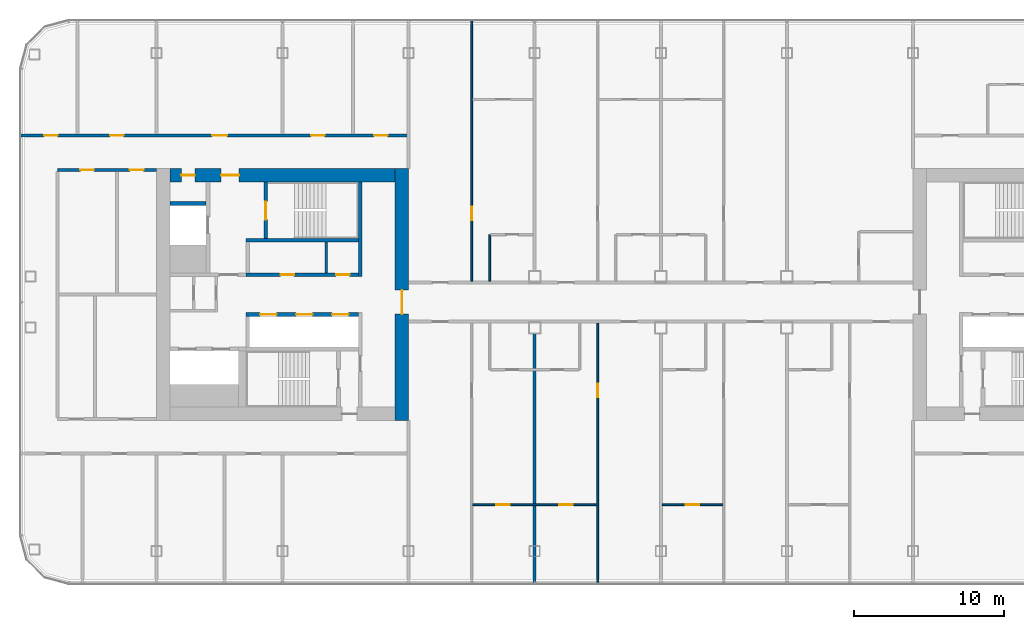
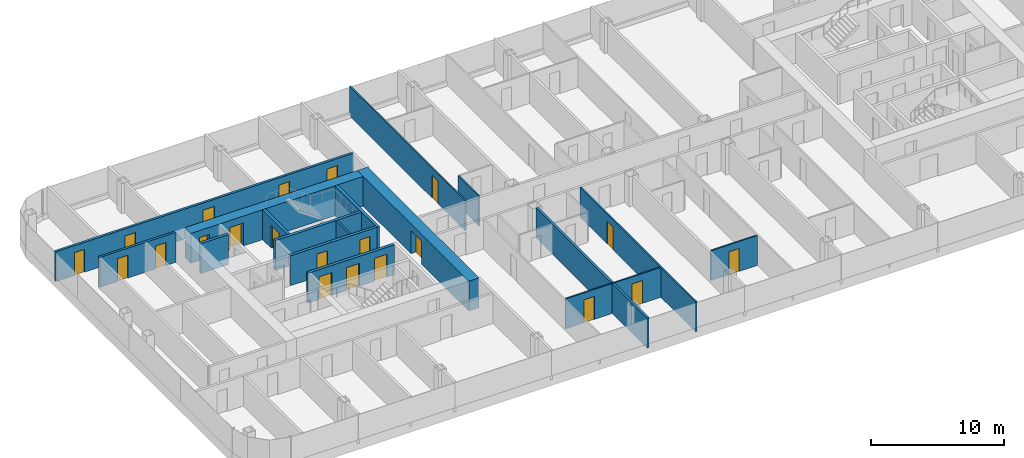
# One storey, part 13 of 26: 21 doors, 17 walls, 21 openings.
"""IFC4 building model written with IfcOpenShell, lengths in metres."""

from ifc_helpers import new_model, si_unit, direction, frame, frame_2d, origin, place, context, subcontext, project, spatial, rectangle, extrude, material, layer, layer_set, type_object, element, fill, save


model = new_model("IFC4")

# Units and contexts
model_context = context("Model", 3, precision=1e-05, world=origin(), true_north=direction((0.0, 1.0)))
body_context = subcontext(model_context, "Body", "Model", "MODEL_VIEW")
ifc_project = project(units=[si_unit("LENGTHUNIT", "METRE"), si_unit("AREAUNIT", "SQUARE_METRE"), si_unit("VOLUMEUNIT", "CUBIC_METRE"), si_unit("PLANEANGLEUNIT", "RADIAN"), si_unit("MASSUNIT", "GRAM", prefix="KILO")], contexts=[model_context])

# Site, building, storey
site_placement = place(None, origin())
site = spatial("IfcSite", under=ifc_project, at=site_placement, CompositionType="ELEMENT")
building_placement = place(site_placement, origin())
building = spatial("IfcBuilding", under=site, at=building_placement, Name="Hakoniwa Tower and Hamabe Station Hall", CompositionType="ELEMENT")
storey_placement = place(building_placement, frame((0.0, 0.0, 159.800048828125)))
storey = spatial("IfcBuildingStorey", under=building, at=storey_placement, Name="L45", CompositionType="ELEMENT", Elevation=159.800048828125)

# Walls
ifc_material_1 = material(Name="Gypsum board partition", Category="gypsum")
ifc_layer_1 = layer(ifc_material_1, 0.125)
ifc_layer_set_1 = layer_set([ifc_layer_1], Name="Bathroom Partition 125")
wall_type_1 = type_object("IfcWallType", Name="Bathroom Partition 125", PredefinedType="PARTITIONING", material=ifc_layer_set_1)
wall_1_placement = place(storey_placement, frame((-11.39990234375, 0.89990234375, 0.0), z_axis=(0.0, 0.0, 1.0), x_axis=(0.0, 1.0, 0.0)))
element("IfcWall", 1, at=wall_1_placement, inside=storey, type_object=wall_type_1, Name="GW-L45-042", PredefinedType="PARTITIONING", context=body_context, shape_type="SweptSolid", body=[
    extrude(rectangle(XDim=3.10009765625, YDim=0.125, at=frame_2d((1.550048828125, 0.0))), origin(), (0.0, 0.0, 1.0), 2.75),
])
ifc_material_2 = material(Name="Gypsum board partition")
ifc_layer_2 = layer(ifc_material_2, 0.14990234375)
ifc_layer_set_2 = layer_set([ifc_layer_2], Name="CORE PARTITION 150 EI 60")
wall_type_2 = type_object("IfcWallType", Name="CORE PARTITION 150 EI 60", PredefinedType="PARTITIONING", material=ifc_layer_set_2)
wall_2_placement = place(storey_placement, frame((-22.300048828125, 1.449951171875, 0.0), z_axis=(0.0, 0.0, 1.0), x_axis=(0.0, 1.0, 0.0)))
element("IfcWall", 2, at=wall_2_placement, inside=storey, type_object=wall_type_2, Name="Core partition PFLR0 west", PredefinedType="PARTITIONING", context=body_context, shape_type="SweptSolid", body=[
    extrude(rectangle(XDim=2.050048828125, YDim=0.14990234375, at=frame_2d((1.02490234375, 0.0))), origin(), (0.0, 0.0, 1.0), 2.75),
])

# Wall, opening, door
ifc_material_3 = material(Name="Concrete C66", Category="concrete")
ifc_layer_3 = layer(ifc_material_3, 0.89990234375)
ifc_layer_set_3 = layer_set([ifc_layer_3], Name="CORE WALL 900 C66")
wall_type_3 = type_object("IfcWallType", Name="CORE WALL 900 C66", PredefinedType="SHEAR", material=ifc_layer_set_3)
wall_3_placement = place(storey_placement, frame((-17.25, -8.39990234375, 0.0), z_axis=(0.0, 0.0, 1.0), x_axis=(0.0, 1.0, 0.0)))
wall_3 = element("IfcWall", 3, at=wall_3_placement, inside=storey, type_object=wall_type_3, Name="Core wall INNER west", PredefinedType="SHEAR", context=body_context, shape_type="SweptSolid", body=[
    extrude(rectangle(XDim=16.7998046875, YDim=0.89990234375, at=frame_2d((8.39990234375, 0.0))), origin(), (0.0, 0.0, 1.0), 2.75),
])
opening_1_placement = place(wall_3_placement, frame((7.10009765625, 0.0, 0.0)))
opening_1 = element("IfcOpeningElement", 4, at=opening_1_placement, cuts=wall_3, Name="Opening CD-W-IN1-16", PredefinedType="OPENING", context=body_context, shape_type="SweptSolid", body=[
    extrude(rectangle(XDim=1.60009765625, YDim=2.10009765625, at=frame_2d((0.800048828125, 1.050048828125))), frame((0.0, 0.4599609375, 0.0), z_axis=(0.0, -1.0, 0.0), x_axis=(1.0, 0.0, 0.0)), (0.0, 0.0, 1.0), 0.919921875),
])
ifc_material_4 = material(Name="Steel fire door", Category="steel")
door_type_1 = type_object("IfcDoorType", Name="CORE DOOR 1600 FD60", OperationType="DOUBLE_DOOR_SINGLE_SWING", PredefinedType="DOOR", material=ifc_material_4)
door_1_placement = place(opening_1_placement, origin())
door_1 = element("IfcDoor", 5, at=door_1_placement, inside=storey, type_object=door_type_1, Name="Lift lobby door", OperationType="DOUBLE_DOOR_SINGLE_SWING", OverallHeight=2.10009765625, OverallWidth=1.60009765625, PredefinedType="DOOR", context=body_context, shape_type="SweptSolid", body=[
    extrude(rectangle(XDim=1.60009765625, YDim=2.10009765625, at=frame_2d((0.800048828125, 1.050048828125))), frame((0.0, 0.02490234375, 0.0), z_axis=(0.0, -1.0, 0.0), x_axis=(1.0, 0.0, 0.0)), (0.0, 0.0, 1.0), 0.050048828125),
])
fill(opening_1, door_1)

# Wall, openings, doors
wall_4_placement = place(storey_placement, frame((-32.699951171875, 7.949951171875, 0.0), z_axis=(0.0, 0.0, 1.0), x_axis=(1.0, 0.0, 0.0)))
wall_4 = element("IfcWall", 6, at=wall_4_placement, inside=storey, type_object=wall_type_3, Name="Core wall NORTH west", PredefinedType="SHEAR", context=body_context, shape_type="SweptSolid", body=[
    extrude(rectangle(XDim=15.0, YDim=0.89990234375, at=frame_2d((7.5, 0.0))), origin(), (0.0, 0.0, 1.0), 2.75),
])
opening_2_placement = place(wall_4_placement, frame((3.39990234375, 0.0, 0.0)))
opening_2 = element("IfcOpeningElement", 7, at=opening_2_placement, cuts=wall_4, Name="Opening CD-W-FN1-12", PredefinedType="OPENING", context=body_context, shape_type="SweptSolid", body=[
    extrude(rectangle(XDim=1.199951171875, YDim=2.10009765625, at=frame_2d((0.60009765625, 1.050048828125))), frame((0.0, 0.4599609375, 0.0), z_axis=(0.0, -1.0, 0.0), x_axis=(1.0, 0.0, 0.0)), (0.0, 0.0, 1.0), 0.919921875),
])
opening_3_placement = place(wall_4_placement, frame((0.75, 0.0, 0.0)))
opening_3 = element("IfcOpeningElement", 8, at=opening_3_placement, cuts=wall_4, Name="Opening CD-W-FN2-9", PredefinedType="OPENING", context=body_context, shape_type="SweptSolid", body=[
    extrude(rectangle(XDim=0.89990234375, YDim=2.10009765625, at=frame_2d((0.449951171875, 1.050048828125))), frame((0.0, 0.4599609375, 0.0), z_axis=(0.0, -1.0, 0.0), x_axis=(1.0, 0.0, 0.0)), (0.0, 0.0, 1.0), 0.919921875),
])
ifc_material_5 = material(Name="Steel fire door", Category="steel")
door_type_2 = type_object("IfcDoorType", Name="CORE DOOR 1200 FD60", OperationType="DOUBLE_DOOR_SINGLE_SWING", PredefinedType="DOOR", material=ifc_material_5)
door_2_placement = place(opening_2_placement, origin())
door_2 = element("IfcDoor", 9, at=door_2_placement, inside=storey, type_object=door_type_2, Name="Stair vestibule door to the fire-fighting lobby", OperationType="DOUBLE_DOOR_SINGLE_SWING", OverallHeight=2.10009765625, OverallWidth=1.199951171875, PredefinedType="DOOR", context=body_context, shape_type="SweptSolid", body=[
    extrude(rectangle(XDim=1.199951171875, YDim=2.10009765625, at=frame_2d((0.60009765625, 1.050048828125))), frame((0.0, 0.02490234375, 0.0), z_axis=(0.0, -1.0, 0.0), x_axis=(1.0, 0.0, 0.0)), (0.0, 0.0, 1.0), 0.050048828125),
])
fill(opening_2, door_2)
ifc_material_6 = material(Name="Steel fire door", Category="steel")
door_type_3 = type_object("IfcDoorType", Name="CORE DOOR 900 FD30", OperationType="NOTDEFINED", PredefinedType="DOOR", material=ifc_material_6)
door_3_placement = place(opening_3_placement, origin())
door_3 = element("IfcDoor", 10, at=door_3_placement, inside=storey, type_object=door_type_3, Name="Riser access door", OperationType="SINGLE_SWING_LEFT", OverallHeight=2.10009765625, OverallWidth=0.89990234375, PredefinedType="DOOR", context=body_context, shape_type="SweptSolid", body=[
    extrude(rectangle(XDim=0.89990234375, YDim=2.10009765625, at=frame_2d((0.449951171875, 1.050048828125))), frame((0.0, 0.02490234375, 0.0), z_axis=(0.0, -1.0, 0.0), x_axis=(1.0, 0.0, 0.0)), (0.0, 0.0, 1.0), 0.050048828125),
])
fill(opening_3, door_3)

# Wall
ifc_material_7 = material(Name="Concrete C66", Category="concrete")
ifc_layer_4 = layer(ifc_material_7, 0.25)
ifc_layer_set_4 = layer_set([ifc_layer_4], Name="CORE WEB WALL 250 C66")
wall_type_4 = type_object("IfcWallType", Name="CORE WEB WALL 250 C66", PredefinedType="SHEAR", material=ifc_layer_set_4)
wall_5_placement = place(storey_placement, frame((-20.02490234375, 1.199951171875, 0.0), z_axis=(0.0, 0.0, 1.0), x_axis=(0.0, 1.0, 0.0)))
element("IfcWall", 11, at=wall_5_placement, inside=storey, type_object=wall_type_4, Name="Core wall W1N west", PredefinedType="SHEAR", context=body_context, shape_type="SweptSolid", body=[
    extrude(rectangle(XDim=6.300048828125, YDim=0.25, at=frame_2d((3.14990234375, 0.0))), origin(), (0.0, 0.0, 1.0), 2.75),
])

# Wall, openings, doors
wall_6_placement = place(storey_placement, frame((-27.64990234375, 1.324951171875, 0.0), z_axis=(0.0, 0.0, 1.0), x_axis=(1.0, 0.0, 0.0)))
wall_6 = element("IfcWall", 12, at=wall_6_placement, inside=storey, type_object=wall_type_4, Name="Core wall NF west", PredefinedType="SHEAR", context=body_context, shape_type="SweptSolid", body=[
    extrude(rectangle(XDim=7.5, YDim=0.25, at=frame_2d((3.75, 0.0))), origin(), (0.0, 0.0, 1.0), 2.75),
])
opening_4_placement = place(wall_6_placement, frame((6.012451171875, 0.0, 0.0)))
opening_4 = element("IfcOpeningElement", 13, at=opening_4_placement, cuts=wall_6, Name="Opening CD-W-FRLR0-9", PredefinedType="OPENING", context=body_context, shape_type="SweptSolid", body=[
    extrude(rectangle(XDim=0.89990234375, YDim=2.10009765625, at=frame_2d((0.449951171875, 1.050048828125))), frame((0.0, 0.135009765625, 0.0), z_axis=(0.0, -1.0, 0.0), x_axis=(1.0, 0.0, 0.0)), (0.0, 0.0, 1.0), 0.27001953125),
])
opening_5_placement = place(wall_6_placement, frame((2.3125, 0.0, 0.0)))
opening_5 = element("IfcOpeningElement", 14, at=opening_5_placement, cuts=wall_6, Name="Opening CD-W-FRLR1-9", PredefinedType="OPENING", context=body_context, shape_type="SweptSolid", body=[
    extrude(rectangle(XDim=0.89990234375, YDim=2.10009765625, at=frame_2d((0.449951171875, 1.050048828125))), frame((0.0, 0.135009765625, 0.0), z_axis=(0.0, -1.0, 0.0), x_axis=(1.0, 0.0, 0.0)), (0.0, 0.0, 1.0), 0.27001953125),
])
door_4_placement = place(opening_4_placement, origin())
door_4 = element("IfcDoor", 15, at=door_4_placement, inside=storey, type_object=door_type_3, Name="Store room door", OperationType="SINGLE_SWING_LEFT", OverallHeight=2.10009765625, OverallWidth=0.89990234375, PredefinedType="DOOR", context=body_context, shape_type="SweptSolid", body=[
    extrude(rectangle(XDim=0.89990234375, YDim=2.10009765625, at=frame_2d((0.449951171875, 1.050048828125))), frame((0.0, 0.02490234375, 0.0), z_axis=(0.0, -1.0, 0.0), x_axis=(1.0, 0.0, 0.0)), (0.0, 0.0, 1.0), 0.050048828125),
])
fill(opening_4, door_4)
door_5_placement = place(opening_5_placement, origin())
door_5 = element("IfcDoor", 16, at=door_5_placement, inside=storey, type_object=door_type_3, Name="Store room door", OperationType="SINGLE_SWING_LEFT", OverallHeight=2.10009765625, OverallWidth=0.89990234375, PredefinedType="DOOR", context=body_context, shape_type="SweptSolid", body=[
    extrude(rectangle(XDim=0.89990234375, YDim=2.10009765625, at=frame_2d((0.449951171875, 1.050048828125))), frame((0.0, 0.02490234375, 0.0), z_axis=(0.0, -1.0, 0.0), x_axis=(1.0, 0.0, 0.0)), (0.0, 0.0, 1.0), 0.050048828125),
])
fill(opening_5, door_5)

# Wall
wall_7_placement = place(storey_placement, frame((-27.64990234375, 3.625, 0.0), z_axis=(0.0, 0.0, 1.0), x_axis=(1.0, 0.0, 0.0)))
element("IfcWall", 17, at=wall_7_placement, inside=storey, type_object=wall_type_4, Name="Core wall NR west", PredefinedType="SHEAR", context=body_context, shape_type="SweptSolid", body=[
    extrude(rectangle(XDim=7.5, YDim=0.25, at=frame_2d((3.75, 0.0))), origin(), (0.0, 0.0, 1.0), 2.75),
])

# Wall, opening, door
wall_8_placement = place(storey_placement, frame((-26.324951171875, 3.75, 0.0), z_axis=(0.0, 0.0, 1.0), x_axis=(0.0, 1.0, 0.0)))
wall_8 = element("IfcWall", 18, at=wall_8_placement, inside=storey, type_object=wall_type_4, Name="Core wall NSE west", PredefinedType="SHEAR", context=body_context, shape_type="SweptSolid", body=[
    extrude(rectangle(XDim=3.75, YDim=0.25, at=frame_2d((1.875, 0.0))), origin(), (0.0, 0.0, 1.0), 2.75),
])
opening_6_placement = place(wall_8_placement, frame((1.25, 0.0, 0.0)))
opening_6 = element("IfcOpeningElement", 19, at=opening_6_placement, cuts=wall_8, Name="Opening CD-W-SN-12", PredefinedType="OPENING", context=body_context, shape_type="SweptSolid", body=[
    extrude(rectangle(XDim=1.199951171875, YDim=2.10009765625, at=frame_2d((0.60009765625, 1.050048828125))), frame((0.0, 0.135009765625, 0.0), z_axis=(0.0, -1.0, 0.0), x_axis=(1.0, 0.0, 0.0)), (0.0, 0.0, 1.0), 0.27001953125),
])
door_6_placement = place(opening_6_placement, origin())
door_6 = element("IfcDoor", 20, at=door_6_placement, inside=storey, type_object=door_type_2, Name="Escape stair door", OperationType="DOUBLE_DOOR_SINGLE_SWING", OverallHeight=2.10009765625, OverallWidth=1.199951171875, PredefinedType="DOOR", context=body_context, shape_type="SweptSolid", body=[
    extrude(rectangle(XDim=1.199951171875, YDim=2.10009765625, at=frame_2d((0.60009765625, 1.050048828125))), frame((0.0, 0.02490234375, 0.0), z_axis=(0.0, -1.0, 0.0), x_axis=(1.0, 0.0, 0.0)), (0.0, 0.0, 1.0), 0.050048828125),
])
fill(opening_6, door_6)

# Wall
wall_9_placement = place(storey_placement, frame((-32.699951171875, 6.074951171875, 0.0), z_axis=(0.0, 0.0, 1.0), x_axis=(1.0, 0.0, 0.0)))
element("IfcWall", 21, at=wall_9_placement, inside=storey, type_object=wall_type_4, Name="Core wall C2 west", PredefinedType="SHEAR", context=body_context, shape_type="SweptSolid", body=[
    extrude(rectangle(XDim=2.39990234375, YDim=0.25, at=frame_2d((1.199951171875, 0.0))), origin(), (0.0, 0.0, 1.0), 2.75),
])

# Wall, openings, doors
wall_10_placement = place(storey_placement, frame((-27.64990234375, -1.324951171875, 0.0), z_axis=(0.0, 0.0, 1.0), x_axis=(1.0, 0.0, 0.0)))
wall_10 = element("IfcWall", 22, at=wall_10_placement, inside=storey, type_object=wall_type_4, Name="Core wall SF west", PredefinedType="SHEAR", context=body_context, shape_type="SweptSolid", body=[
    extrude(rectangle(XDim=7.5, YDim=0.25, at=frame_2d((3.75, 0.0))), origin(), (0.0, 0.0, 1.0), 2.75),
])
opening_7_placement = place(wall_10_placement, frame((5.75, 0.0, 0.0)))
opening_7 = element("IfcOpeningElement", 23, at=opening_7_placement, cuts=wall_10, Name="Opening LD-HR1", PredefinedType="OPENING", context=body_context, shape_type="SweptSolid", body=[
    extrude(rectangle(XDim=1.10009765625, YDim=2.10009765625, at=frame_2d((0.550048828125, 1.050048828125))), frame((0.0, 0.135009765625, 0.0), z_axis=(0.0, -1.0, 0.0), x_axis=(1.0, 0.0, 0.0)), (0.0, 0.0, 1.0), 0.27001953125),
])
opening_8_placement = place(wall_10_placement, frame((3.35009765625, 0.0, 0.0)))
opening_8 = element("IfcOpeningElement", 24, at=opening_8_placement, cuts=wall_10, Name="Opening LD-HR2", PredefinedType="OPENING", context=body_context, shape_type="SweptSolid", body=[
    extrude(rectangle(XDim=1.10009765625, YDim=2.10009765625, at=frame_2d((0.550048828125, 1.050048828125))), frame((0.0, 0.135009765625, 0.0), z_axis=(0.0, -1.0, 0.0), x_axis=(1.0, 0.0, 0.0)), (0.0, 0.0, 1.0), 0.27001953125),
])
opening_9_placement = place(wall_10_placement, frame((0.949951171875, 0.0, 0.0)))
opening_9 = element("IfcOpeningElement", 25, at=opening_9_placement, cuts=wall_10, Name="Opening LD-HR3", PredefinedType="OPENING", context=body_context, shape_type="SweptSolid", body=[
    extrude(rectangle(XDim=1.10009765625, YDim=2.10009765625, at=frame_2d((0.550048828125, 1.050048828125))), frame((0.0, 0.135009765625, 0.0), z_axis=(0.0, -1.0, 0.0), x_axis=(1.0, 0.0, 0.0)), (0.0, 0.0, 1.0), 0.27001953125),
])
ifc_material_8 = material(Name="Stainless steel SUS304", Category="steel")
door_type_4 = type_object("IfcDoorType", Name="LIFT LANDING DOOR 1100 FD60", OperationType="DOUBLE_DOOR_SLIDING", PredefinedType="DOOR", material=ifc_material_8)
door_7_placement = place(opening_7_placement, origin())
door_7 = element("IfcDoor", 26, at=door_7_placement, inside=storey, type_object=door_type_4, Name="Lift landing door HR1 L45", OperationType="DOUBLE_DOOR_SLIDING", OverallHeight=2.10009765625, OverallWidth=1.10009765625, PredefinedType="DOOR", context=body_context, shape_type="SweptSolid", body=[
    extrude(rectangle(XDim=1.10009765625, YDim=2.10009765625, at=frame_2d((0.550048828125, 1.050048828125))), frame((0.0, 0.02490234375, 0.0), z_axis=(0.0, -1.0, 0.0), x_axis=(1.0, 0.0, 0.0)), (0.0, 0.0, 1.0), 0.050048828125),
])
fill(opening_7, door_7)
door_8_placement = place(opening_8_placement, origin())
door_8 = element("IfcDoor", 27, at=door_8_placement, inside=storey, type_object=door_type_4, Name="Lift landing door HR2 L45", OperationType="DOUBLE_DOOR_SLIDING", OverallHeight=2.10009765625, OverallWidth=1.10009765625, PredefinedType="DOOR", context=body_context, shape_type="SweptSolid", body=[
    extrude(rectangle(XDim=1.10009765625, YDim=2.10009765625, at=frame_2d((0.550048828125, 1.050048828125))), frame((0.0, 0.02490234375, 0.0), z_axis=(0.0, -1.0, 0.0), x_axis=(1.0, 0.0, 0.0)), (0.0, 0.0, 1.0), 0.050048828125),
])
fill(opening_8, door_8)
door_9_placement = place(opening_9_placement, origin())
door_9 = element("IfcDoor", 28, at=door_9_placement, inside=storey, type_object=door_type_4, Name="Lift landing door HR3 L45", OperationType="DOUBLE_DOOR_SLIDING", OverallHeight=2.10009765625, OverallWidth=1.10009765625, PredefinedType="DOOR", context=body_context, shape_type="SweptSolid", body=[
    extrude(rectangle(XDim=1.10009765625, YDim=2.10009765625, at=frame_2d((0.550048828125, 1.050048828125))), frame((0.0, 0.02490234375, 0.0), z_axis=(0.0, -1.0, 0.0), x_axis=(1.0, 0.0, 0.0)), (0.0, 0.0, 1.0), 0.050048828125),
])
fill(opening_9, door_9)

ifc_material_9 = material(Name="Fire-rated gypsum board partition", Category="gypsum")
ifc_layer_5 = layer(ifc_material_9, 0.199951171875)
ifc_layer_set_5 = layer_set([ifc_layer_5], Name="Corridor Wall 200")
wall_type_5 = type_object("IfcWallType", Name="Corridor Wall 200", PredefinedType="PARTITIONING", material=ifc_layer_set_5)
wall_11_placement = place(storey_placement, frame((-40.199951171875, 8.300048828125, 0.0), z_axis=(0.0, 0.0, 1.0), x_axis=(1.0, 0.0, 0.0)))
wall_11 = element("IfcWall", 29, at=wall_11_placement, inside=storey, type_object=wall_type_5, Name="GW-L45-018", PredefinedType="PARTITIONING", context=body_context, shape_type="SweptSolid", body=[
    extrude(rectangle(XDim=6.599853515625, YDim=0.199951171875, at=frame_2d((3.2998046875, 0.0))), origin(), (0.0, 0.0, 1.0), 2.75),
])
opening_10_placement = place(wall_11_placement, frame((1.530029296875, 0.0, 0.0)))
opening_10 = element("IfcOpeningElement", 30, at=opening_10_placement, cuts=wall_11, Name="Opening GD-G3E1-32", PredefinedType="OPENING", context=body_context, shape_type="SweptSolid", body=[
    extrude(rectangle(XDim=0.89990234375, YDim=2.10009765625, at=frame_2d((0.449951171875, 1.050048828125))), frame((0.0, 0.10986328125, 0.0), z_axis=(0.0, -1.0, 0.0), x_axis=(1.0, 0.0, 0.0)), (0.0, 0.0, 1.0), 0.219970703125),
])
opening_11_placement = place(wall_11_placement, frame((4.830078125, 0.0, 0.0)))
opening_11 = element("IfcOpeningElement", 31, at=opening_11_placement, cuts=wall_11, Name="Opening GD-G3E1-33", PredefinedType="OPENING", context=body_context, shape_type="SweptSolid", body=[
    extrude(rectangle(XDim=0.89990234375, YDim=2.10009765625, at=frame_2d((0.449951171875, 1.050048828125))), frame((0.0, 0.10986328125, 0.0), z_axis=(0.0, -1.0, 0.0), x_axis=(1.0, 0.0, 0.0)), (0.0, 0.0, 1.0), 0.219970703125),
])
ifc_material_10 = material(Name="Timber door leaf", Category="wood")
door_type_5 = type_object("IfcDoorType", Name="Service Door 900", OperationType="SINGLE_SWING_LEFT", PredefinedType="DOOR", material=ifc_material_10)
door_10_placement = place(opening_10_placement, origin())
door_10 = element("IfcDoor", 32, at=door_10_placement, inside=storey, type_object=door_type_5, Name="Door GD-G3E1-32", OperationType="SINGLE_SWING_RIGHT", OverallHeight=2.10009765625, OverallWidth=0.89990234375, PredefinedType="DOOR", context=body_context, shape_type="SweptSolid", body=[
    extrude(rectangle(XDim=0.89990234375, YDim=2.10009765625, at=frame_2d((0.449951171875, 1.050048828125))), frame((0.0, 0.02490234375, 0.0), z_axis=(0.0, -1.0, 0.0), x_axis=(1.0, 0.0, 0.0)), (0.0, 0.0, 1.0), 0.050048828125),
])
fill(opening_10, door_10)
door_11_placement = place(opening_11_placement, origin())
door_11 = element("IfcDoor", 33, at=door_11_placement, inside=storey, type_object=door_type_5, Name="Door GD-G3E1-33", OperationType="SINGLE_SWING_LEFT", OverallHeight=2.10009765625, OverallWidth=0.89990234375, PredefinedType="DOOR", context=body_context, shape_type="SweptSolid", body=[
    extrude(rectangle(XDim=0.89990234375, YDim=2.10009765625, at=frame_2d((0.449951171875, 1.050048828125))), frame((0.0, 0.02490234375, 0.0), z_axis=(0.0, -1.0, 0.0), x_axis=(1.0, 0.0, 0.0)), (0.0, 0.0, 1.0), 0.050048828125),
])
fill(opening_11, door_11)

wall_12_placement = place(storey_placement, frame((-42.699951171875, 10.60009765625, 0.0), z_axis=(0.0, 0.0, 1.0), x_axis=(1.0, 0.0, 0.0)))
wall_12 = element("IfcWall", 34, at=wall_12_placement, inside=storey, type_object=wall_type_5, Name="GW-L45-020", PredefinedType="PARTITIONING", context=body_context, shape_type="SweptSolid", body=[
    extrude(rectangle(XDim=25.89990234375, YDim=0.199951171875, at=frame_2d((12.949951171875, 0.0))), origin(), (0.0, 0.0, 1.0), 2.75),
])
opening_12_placement = place(wall_12_placement, frame((1.610107421875, 0.0, 0.0)))
opening_12 = element("IfcOpeningElement", 35, at=opening_12_placement, cuts=wall_12, Name="Opening GD-G3E1-36", PredefinedType="OPENING", context=body_context, shape_type="SweptSolid", body=[
    extrude(rectangle(XDim=0.89990234375, YDim=2.10009765625, at=frame_2d((0.449951171875, 1.050048828125))), frame((0.0, 0.10986328125, 0.0), z_axis=(0.0, -1.0, 0.0), x_axis=(1.0, 0.0, 0.0)), (0.0, 0.0, 1.0), 0.219970703125),
])
opening_13_placement = place(wall_12_placement, frame((6.010009765625, 0.0, 0.0)))
opening_13 = element("IfcOpeningElement", 36, at=opening_13_placement, cuts=wall_12, Name="Opening GD-G3E1-37", PredefinedType="OPENING", context=body_context, shape_type="SweptSolid", body=[
    extrude(rectangle(XDim=0.89990234375, YDim=2.10009765625, at=frame_2d((0.449951171875, 1.050048828125))), frame((0.0, 0.10986328125, 0.0), z_axis=(0.0, -1.0, 0.0), x_axis=(1.0, 0.0, 0.0)), (0.0, 0.0, 1.0), 0.219970703125),
])
opening_14_placement = place(wall_12_placement, frame((12.800048828125, 0.0, 0.0)))
opening_14 = element("IfcOpeningElement", 37, at=opening_14_placement, cuts=wall_12, Name="Opening GD-G3E1-38", PredefinedType="OPENING", context=body_context, shape_type="SweptSolid", body=[
    extrude(rectangle(XDim=1.0, YDim=2.10009765625, at=frame_2d((0.5, 1.050048828125))), frame((0.0, 0.10986328125, 0.0), z_axis=(0.0, -1.0, 0.0), x_axis=(1.0, 0.0, 0.0)), (0.0, 0.0, 1.0), 0.219970703125),
])
opening_15_placement = place(wall_12_placement, frame((19.39990234375, 0.0, 0.0)))
opening_15 = element("IfcOpeningElement", 38, at=opening_15_placement, cuts=wall_12, Name="Opening GD-G3E1-39", PredefinedType="OPENING", context=body_context, shape_type="SweptSolid", body=[
    extrude(rectangle(XDim=0.89990234375, YDim=2.10009765625, at=frame_2d((0.449951171875, 1.050048828125))), frame((0.0, 0.10986328125, 0.0), z_axis=(0.0, -1.0, 0.0), x_axis=(1.0, 0.0, 0.0)), (0.0, 0.0, 1.0), 0.219970703125),
])
opening_16_placement = place(wall_12_placement, frame((23.60009765625, 0.0, 0.0)))
opening_16 = element("IfcOpeningElement", 39, at=opening_16_placement, cuts=wall_12, Name="Opening GD-G3E1-40", PredefinedType="OPENING", context=body_context, shape_type="SweptSolid", body=[
    extrude(rectangle(XDim=0.89990234375, YDim=2.10009765625, at=frame_2d((0.449951171875, 1.050048828125))), frame((0.0, 0.10986328125, 0.0), z_axis=(0.0, -1.0, 0.0), x_axis=(1.0, 0.0, 0.0)), (0.0, 0.0, 1.0), 0.219970703125),
])
ifc_material_11 = material(Name="Timber door leaf", Category="wood")
door_type_6 = type_object("IfcDoorType", Name="Guest Entrance Door 1000", OperationType="SINGLE_SWING_LEFT", PredefinedType="DOOR", material=ifc_material_11)
door_12_placement = place(opening_14_placement, origin())
door_12 = element("IfcDoor", 40, at=door_12_placement, inside=storey, type_object=door_type_6, Name="Door GD-G3E1-38", OperationType="SINGLE_SWING_LEFT", OverallHeight=2.10009765625, OverallWidth=1.0, PredefinedType="DOOR", context=body_context, shape_type="SweptSolid", body=[
    extrude(rectangle(XDim=1.0, YDim=2.10009765625, at=frame_2d((0.5, 1.050048828125))), frame((0.0, 0.02490234375, 0.0), z_axis=(0.0, -1.0, 0.0), x_axis=(1.0, 0.0, 0.0)), (0.0, 0.0, 1.0), 0.050048828125),
])
fill(opening_14, door_12)
door_13_placement = place(opening_12_placement, origin())
door_13 = element("IfcDoor", 41, at=door_13_placement, inside=storey, type_object=door_type_5, Name="Door GD-G3E1-36", OperationType="SINGLE_SWING_LEFT", OverallHeight=2.10009765625, OverallWidth=0.89990234375, PredefinedType="DOOR", context=body_context, shape_type="SweptSolid", body=[
    extrude(rectangle(XDim=0.89990234375, YDim=2.10009765625, at=frame_2d((0.449951171875, 1.050048828125))), frame((0.0, 0.02490234375, 0.0), z_axis=(0.0, -1.0, 0.0), x_axis=(1.0, 0.0, 0.0)), (0.0, 0.0, 1.0), 0.050048828125),
])
fill(opening_12, door_13)
door_14_placement = place(opening_13_placement, origin())
door_14 = element("IfcDoor", 42, at=door_14_placement, inside=storey, type_object=door_type_5, Name="Door GD-G3E1-37", OperationType="SINGLE_SWING_RIGHT", OverallHeight=2.10009765625, OverallWidth=0.89990234375, PredefinedType="DOOR", context=body_context, shape_type="SweptSolid", body=[
    extrude(rectangle(XDim=0.89990234375, YDim=2.10009765625, at=frame_2d((0.449951171875, 1.050048828125))), frame((0.0, 0.02490234375, 0.0), z_axis=(0.0, -1.0, 0.0), x_axis=(1.0, 0.0, 0.0)), (0.0, 0.0, 1.0), 0.050048828125),
])
fill(opening_13, door_14)
door_15_placement = place(opening_15_placement, origin())
door_15 = element("IfcDoor", 43, at=door_15_placement, inside=storey, type_object=door_type_5, Name="Door GD-G3E1-39", OperationType="SINGLE_SWING_RIGHT", OverallHeight=2.10009765625, OverallWidth=0.89990234375, PredefinedType="DOOR", context=body_context, shape_type="SweptSolid", body=[
    extrude(rectangle(XDim=0.89990234375, YDim=2.10009765625, at=frame_2d((0.449951171875, 1.050048828125))), frame((0.0, 0.02490234375, 0.0), z_axis=(0.0, -1.0, 0.0), x_axis=(1.0, 0.0, 0.0)), (0.0, 0.0, 1.0), 0.050048828125),
])
fill(opening_15, door_15)
door_16_placement = place(opening_16_placement, origin())
door_16 = element("IfcDoor", 44, at=door_16_placement, inside=storey, type_object=door_type_5, Name="Door GD-G3E1-40", OperationType="SINGLE_SWING_RIGHT", OverallHeight=2.10009765625, OverallWidth=0.89990234375, PredefinedType="DOOR", context=body_context, shape_type="SweptSolid", body=[
    extrude(rectangle(XDim=0.89990234375, YDim=2.10009765625, at=frame_2d((0.449951171875, 1.050048828125))), frame((0.0, 0.02490234375, 0.0), z_axis=(0.0, -1.0, 0.0), x_axis=(1.0, 0.0, 0.0)), (0.0, 0.0, 1.0), 0.050048828125),
])
fill(opening_16, door_16)

# Wall
ifc_material_12 = material(Name="Fire-rated gypsum board partition", Category="gypsum")
ifc_layer_6 = layer(ifc_material_12, 0.199951171875)
ifc_layer_set_6 = layer_set([ifc_layer_6], Name="Party Wall 200")
wall_type_6 = type_object("IfcWallType", Name="Party Wall 200", PredefinedType="PARTITIONING", material=ifc_layer_set_6)
wall_13_placement = place(storey_placement, frame((-8.39990234375, -19.300048828125, 0.0), z_axis=(0.0, 0.0, 1.0), x_axis=(0.0, 1.0, 0.0)))
element("IfcWall", 45, at=wall_13_placement, inside=storey, type_object=wall_type_6, Name="GW-L45-043", PredefinedType="PARTITIONING", context=body_context, shape_type="SweptSolid", body=[
    extrude(rectangle(XDim=16.7099609375, YDim=0.199951171875, at=frame_2d((8.35498046875, 0.0))), origin(), (0.0, 0.0, 1.0), 2.75),
])

# Wall, openings, doors
ifc_material_13 = material(Name="Gypsum board partition", Category="gypsum")
ifc_layer_7 = layer(ifc_material_13, 0.125)
ifc_layer_set_7 = layer_set([ifc_layer_7], Name="Room Partition 125")
wall_type_7 = type_object("IfcWallType", Name="Room Partition 125", PredefinedType="PARTITIONING", material=ifc_layer_set_7)
wall_14_placement = place(storey_placement, frame((-12.53759765625, -14.0, 0.0), z_axis=(0.0, 0.0, 1.0), x_axis=(1.0, 0.0, 0.0)))
wall_14 = element("IfcWall", 46, at=wall_14_placement, inside=storey, type_object=wall_type_7, Name="GW-L45-001", PredefinedType="PARTITIONING", context=body_context, shape_type="SweptSolid", body=[
    extrude(rectangle(XDim=8.275146484375, YDim=0.125, at=frame_2d((4.1376953125, 0.0))), origin(), (0.0, 0.0, 1.0), 2.75),
])
opening_17_placement = place(wall_14_placement, frame((1.58740234375, 0.0, 0.0)))
opening_17 = element("IfcOpeningElement", 47, at=opening_17_placement, cuts=wall_14, Name="Opening GD-G3E1-01", PredefinedType="OPENING", context=body_context, shape_type="SweptSolid", body=[
    extrude(rectangle(XDim=0.89990234375, YDim=2.10009765625, at=frame_2d((0.449951171875, 1.050048828125))), frame((0.0, 0.072509765625, 0.0), z_axis=(0.0, -1.0, 0.0), x_axis=(1.0, 0.0, 0.0)), (0.0, 0.0, 1.0), 0.14501953125),
])
opening_18_placement = place(wall_14_placement, frame((5.78759765625, 0.0, 0.0)))
opening_18 = element("IfcOpeningElement", 48, at=opening_18_placement, cuts=wall_14, Name="Opening GD-G3E1-02", PredefinedType="OPENING", context=body_context, shape_type="SweptSolid", body=[
    extrude(rectangle(XDim=0.89990234375, YDim=2.10009765625, at=frame_2d((0.449951171875, 1.050048828125))), frame((0.0, 0.072509765625, 0.0), z_axis=(0.0, -1.0, 0.0), x_axis=(1.0, 0.0, 0.0)), (0.0, 0.0, 1.0), 0.14501953125),
])
ifc_material_14 = material(Name="Timber door leaf", Category="wood")
door_type_7 = type_object("IfcDoorType", Name="Suite Interior Door 900", OperationType="SINGLE_SWING_LEFT", PredefinedType="DOOR", material=ifc_material_14)
door_17_placement = place(opening_17_placement, origin())
door_17 = element("IfcDoor", 49, at=door_17_placement, inside=storey, type_object=door_type_7, Name="Door GD-G3E1-01", OperationType="SINGLE_SWING_RIGHT", OverallHeight=2.10009765625, OverallWidth=0.89990234375, PredefinedType="DOOR", context=body_context, shape_type="SweptSolid", body=[
    extrude(rectangle(XDim=0.89990234375, YDim=2.10009765625, at=frame_2d((0.449951171875, 1.050048828125))), frame((0.0, 0.02490234375, 0.0), z_axis=(0.0, -1.0, 0.0), x_axis=(1.0, 0.0, 0.0)), (0.0, 0.0, 1.0), 0.050048828125),
])
fill(opening_17, door_17)
door_18_placement = place(opening_18_placement, origin())
door_18 = element("IfcDoor", 50, at=door_18_placement, inside=storey, type_object=door_type_7, Name="Door GD-G3E1-02", OperationType="SINGLE_SWING_LEFT", OverallHeight=2.10009765625, OverallWidth=0.89990234375, PredefinedType="DOOR", context=body_context, shape_type="SweptSolid", body=[
    extrude(rectangle(XDim=0.89990234375, YDim=2.10009765625, at=frame_2d((0.449951171875, 1.050048828125))), frame((0.0, 0.02490234375, 0.0), z_axis=(0.0, -1.0, 0.0), x_axis=(1.0, 0.0, 0.0)), (0.0, 0.0, 1.0), 0.050048828125),
])
fill(opening_18, door_18)

# Wall, opening, door
wall_15_placement = place(storey_placement, frame((0.10009765625, -14.0, 0.0), z_axis=(0.0, 0.0, 1.0), x_axis=(1.0, 0.0, 0.0)))
wall_15 = element("IfcWall", 51, at=wall_15_placement, inside=storey, type_object=wall_type_7, Name="GW-L45-002", PredefinedType="PARTITIONING", context=body_context, shape_type="SweptSolid", body=[
    extrude(rectangle(XDim=4.037353515625, YDim=0.125, at=frame_2d((2.0185546875, 0.0))), origin(), (0.0, 0.0, 1.0), 2.75),
])
opening_19_placement = place(wall_15_placement, frame((1.550048828125, 0.0, 0.0)))
opening_19 = element("IfcOpeningElement", 52, at=opening_19_placement, cuts=wall_15, Name="Opening GD-G3E1-03", PredefinedType="OPENING", context=body_context, shape_type="SweptSolid", body=[
    extrude(rectangle(XDim=0.89990234375, YDim=2.10009765625, at=frame_2d((0.449951171875, 1.050048828125))), frame((0.0, 0.072509765625, 0.0), z_axis=(0.0, -1.0, 0.0), x_axis=(1.0, 0.0, 0.0)), (0.0, 0.0, 1.0), 0.14501953125),
])
door_19_placement = place(opening_19_placement, origin())
door_19 = element("IfcDoor", 53, at=door_19_placement, inside=storey, type_object=door_type_7, Name="Door GD-G3E1-03", OperationType="SINGLE_SWING_RIGHT", OverallHeight=2.10009765625, OverallWidth=0.89990234375, PredefinedType="DOOR", context=body_context, shape_type="SweptSolid", body=[
    extrude(rectangle(XDim=0.89990234375, YDim=2.10009765625, at=frame_2d((0.449951171875, 1.050048828125))), frame((0.0, 0.02490234375, 0.0), z_axis=(0.0, -1.0, 0.0), x_axis=(1.0, 0.0, 0.0)), (0.0, 0.0, 1.0), 0.050048828125),
])
fill(opening_19, door_19)

wall_16_placement = place(storey_placement, frame((-12.60009765625, 0.89990234375, 0.0), z_axis=(0.0, 0.0, 1.0), x_axis=(0.0, 1.0, 0.0)))
wall_16 = element("IfcWall", 54, at=wall_16_placement, inside=storey, type_object=wall_type_7, Name="GW-L45-040", PredefinedType="PARTITIONING", context=body_context, shape_type="SweptSolid", body=[
    extrude(rectangle(XDim=17.400146484375, YDim=0.125, at=frame_2d((8.7001953125, 0.0))), origin(), (0.0, 0.0, 1.0), 2.75),
])
opening_20_placement = place(wall_16_placement, frame((4.050048828125, 0.0, 0.0)))
opening_20 = element("IfcOpeningElement", 55, at=opening_20_placement, cuts=wall_16, Name="Opening GD-G3E1-51", PredefinedType="OPENING", context=body_context, shape_type="SweptSolid", body=[
    extrude(rectangle(XDim=0.89990234375, YDim=2.10009765625, at=frame_2d((0.449951171875, 1.050048828125))), frame((0.0, 0.072509765625, 0.0), z_axis=(0.0, -1.0, 0.0), x_axis=(1.0, 0.0, 0.0)), (0.0, 0.0, 1.0), 0.14501953125),
])
door_20_placement = place(opening_20_placement, origin())
door_20 = element("IfcDoor", 56, at=door_20_placement, inside=storey, type_object=door_type_7, Name="Door GD-G3E1-51", OperationType="SINGLE_SWING_LEFT", OverallHeight=2.10009765625, OverallWidth=0.89990234375, PredefinedType="DOOR", context=body_context, shape_type="SweptSolid", body=[
    extrude(rectangle(XDim=0.89990234375, YDim=2.10009765625, at=frame_2d((0.449951171875, 1.050048828125))), frame((0.0, 0.02490234375, 0.0), z_axis=(0.0, -1.0, 0.0), x_axis=(1.0, 0.0, 0.0)), (0.0, 0.0, 1.0), 0.050048828125),
])
fill(opening_20, door_20)

wall_17_placement = place(storey_placement, frame((-4.199951171875, -19.300048828125, 0.0), z_axis=(0.0, 0.0, 1.0), x_axis=(0.0, 1.0, 0.0)))
wall_17 = element("IfcWall", 57, at=wall_17_placement, inside=storey, type_object=wall_type_7, Name="GW-L45-046", PredefinedType="PARTITIONING", context=body_context, shape_type="SweptSolid", body=[
    extrude(rectangle(XDim=17.400146484375, YDim=0.125, at=frame_2d((8.7001953125, 0.0))), origin(), (0.0, 0.0, 1.0), 2.75),
])
opening_21_placement = place(wall_17_placement, frame((12.449951171875, 0.0, 0.0)))
opening_21 = element("IfcOpeningElement", 58, at=opening_21_placement, cuts=wall_17, Name="Opening GD-G3E1-52", PredefinedType="OPENING", context=body_context, shape_type="SweptSolid", body=[
    extrude(rectangle(XDim=0.89990234375, YDim=2.10009765625, at=frame_2d((0.449951171875, 1.050048828125))), frame((0.0, 0.072509765625, 0.0), z_axis=(0.0, -1.0, 0.0), x_axis=(1.0, 0.0, 0.0)), (0.0, 0.0, 1.0), 0.14501953125),
])
door_21_placement = place(opening_21_placement, origin())
door_21 = element("IfcDoor", 59, at=door_21_placement, inside=storey, type_object=door_type_7, Name="Door GD-G3E1-52", OperationType="SINGLE_SWING_LEFT", OverallHeight=2.10009765625, OverallWidth=0.89990234375, PredefinedType="DOOR", context=body_context, shape_type="SweptSolid", body=[
    extrude(rectangle(XDim=0.89990234375, YDim=2.10009765625, at=frame_2d((0.449951171875, 1.050048828125))), frame((0.0, 0.02490234375, 0.0), z_axis=(0.0, -1.0, 0.0), x_axis=(1.0, 0.0, 0.0)), (0.0, 0.0, 1.0), 0.050048828125),
])
fill(opening_21, door_21)

save(model, "model.ifc")
